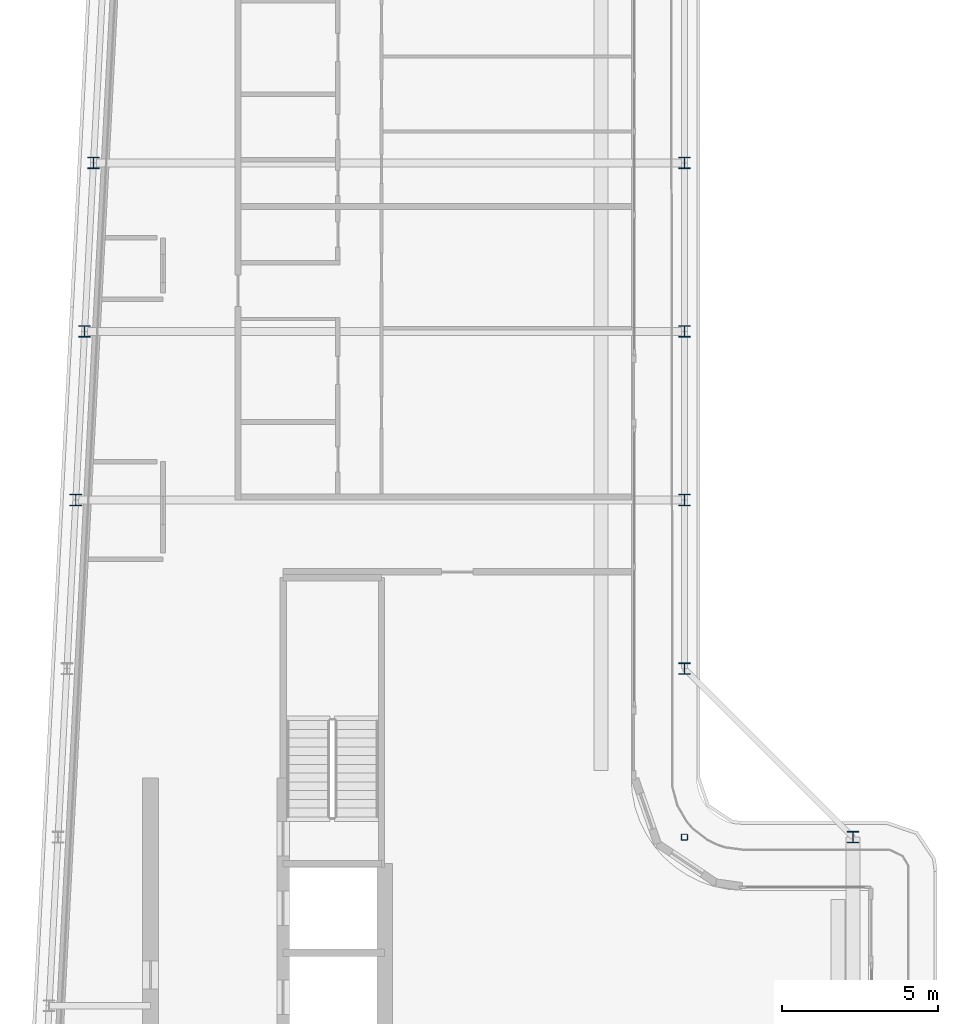
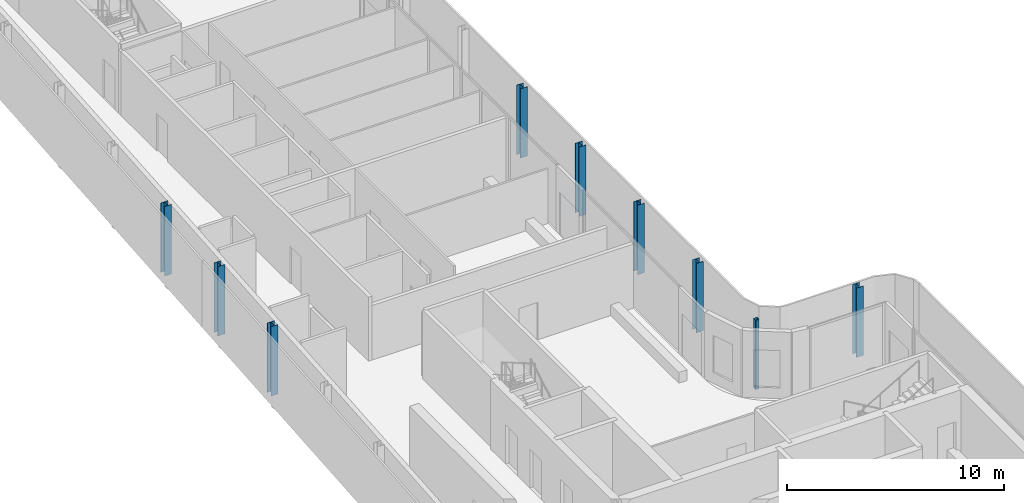
# One storey, part 2 of 19: 9 columns.
"""IFC4 building model written with IfcOpenShell, lengths in metres."""

from ifc_helpers import new_model, si_unit, direction, frame, origin, origin_2d, place, context, subcontext, project, spatial, hollow_rectangle, i_section, extrude, material, material_profile, profile_set, type_object, element, save


model = new_model("IFC4")

# Units and contexts
model_context = context("Model", 3, precision=1e-05, world=origin(), true_north=direction((0.0, 1.0)))
body_context = subcontext(model_context, "Body", "Model", "MODEL_VIEW")
ifc_project = project(units=[si_unit("LENGTHUNIT", "METRE"), si_unit("AREAUNIT", "SQUARE_METRE"), si_unit("VOLUMEUNIT", "CUBIC_METRE"), si_unit("PLANEANGLEUNIT", "RADIAN"), si_unit("MASSUNIT", "GRAM", prefix="KILO")], contexts=[model_context])

# Site, building, storey
site_placement = place(None, origin())
site = spatial("IfcSite", under=ifc_project, at=site_placement, CompositionType="ELEMENT")
building_placement = place(site_placement, origin())
building = spatial("IfcBuilding", under=site, at=building_placement, Name="Kheshtan School and Residences Tower", CompositionType="ELEMENT")
storey_placement = place(building_placement, frame((0.0, 0.0, 353.89990234375)))
storey = spatial("IfcBuildingStorey", under=building, at=storey_placement, Name="L83", CompositionType="ELEMENT", Elevation=353.89990234375)

# Columns
ifc_material_1 = material(Name="Steel ASTM A992 Grade 50", Category="steel")
ifc_material_profile_1 = material_profile(ifc_material_1, i_section(OverallWidth=0.37109375, OverallDepth=0.364013671875, WebThickness=0.01318359375, FlangeThickness=0.021728515625, FilletRadius=0.010986328125, at=origin_2d()), Name="W360x162")
ifc_profile_set_1 = profile_set([ifc_material_profile_1], Name="Steel ASTM A992 Grade 50")
column_type_1 = type_object("IfcColumnType", Name="Column C6 W360x162 ASTM A992 Grade 50", PredefinedType="COLUMN", material=ifc_profile_set_1)
for number, where, z_axis, x_axis, name in (
    (1, (53.0, 45.60009765625, 0.0), (0.0, 0.0, 1.0), (1.0, 0.0, 0.0), "Column C061"),
    (2, (47.60009765625, 51.0, 0.0), (0.0, 0.0, 1.0), (1.0, 0.0, 0.0), "Column C079"),
    (3, (28.10595703125, 56.39990234375, 0.0), (0.0, 0.0, 1.0), (1.0, 0.0, 0.0), "Column C080"),
    (4, (47.60009765625, 56.39990234375, 0.0), (0.0, 0.0, 1.0), (1.0, 0.0, 0.0), "Column C081"),
    (5, (28.389892578125, 61.800048828125, 0.0), (0.0, 0.0, 1.0), (1.0, 0.0, 0.0), "Column C082"),
    (6, (47.60009765625, 61.800048828125, 0.0), (0.0, 0.0, 1.0), (1.0, 0.0, 0.0), "Column C083"),
    (7, (28.674072265625, 67.199951171875, 0.0), (0.0, 0.0, 1.0), (1.0, 0.0, 0.0), "Column C084"),
    (8, (47.60009765625, 67.199951171875, 0.0), (0.0, 0.0, 1.0), (1.0, 0.0, 0.0), "Column C085"),
):
    element("IfcColumn", number, at=place(storey_placement, frame(where, z_axis=z_axis, x_axis=x_axis)), inside=storey, type_object=column_type_1, Name=name, PredefinedType="COLUMN", context=body_context, shape_type="SweptSolid", body=[
        extrude(i_section(OverallWidth=0.37109375, OverallDepth=0.364013671875, WebThickness=0.01318359375, FlangeThickness=0.021728515625, FilletRadius=0.010986328125, at=origin_2d()), origin(), (0.0, 0.0, 1.0), 3.900146484375),
    ])
ifc_material_2 = material(Name="Steel ASTM A500 Grade C", Category="steel")
ifc_material_profile_2 = material_profile(ifc_material_2, hollow_rectangle(XDim=0.202880859375, YDim=0.202880859375, WallThickness=0.0126953125, InnerFilletRadius=0.0126953125, OuterFilletRadius=0.025390625, at=origin_2d()), Name="HSS 203x203x12.7")
ifc_profile_set_2 = profile_set([ifc_material_profile_2], Name="Steel ASTM A500 Grade C")
column_type_2 = type_object("IfcColumnType", Name="Column IC4 HSS 203x203x12.7 ASTM A500 Grade C", PredefinedType="COLUMN", material=ifc_profile_set_2)
column_placement = place(storey_placement, frame((47.60009765625, 45.60009765625, 0.0), z_axis=(0.0, 0.0, 1.0), x_axis=(1.0, 0.0, 0.0)))
element("IfcColumn", 9, at=column_placement, inside=storey, type_object=column_type_2, Name="Column C060", PredefinedType="COLUMN", context=body_context, shape_type="SweptSolid", body=[
    extrude(hollow_rectangle(XDim=0.202880859375, YDim=0.202880859375, WallThickness=0.0126953125, InnerFilletRadius=0.0126953125, OuterFilletRadius=0.025390625, at=origin_2d()), origin(), (0.0, 0.0, 1.0), 3.900146484375),
])

save(model, "model.ifc")
